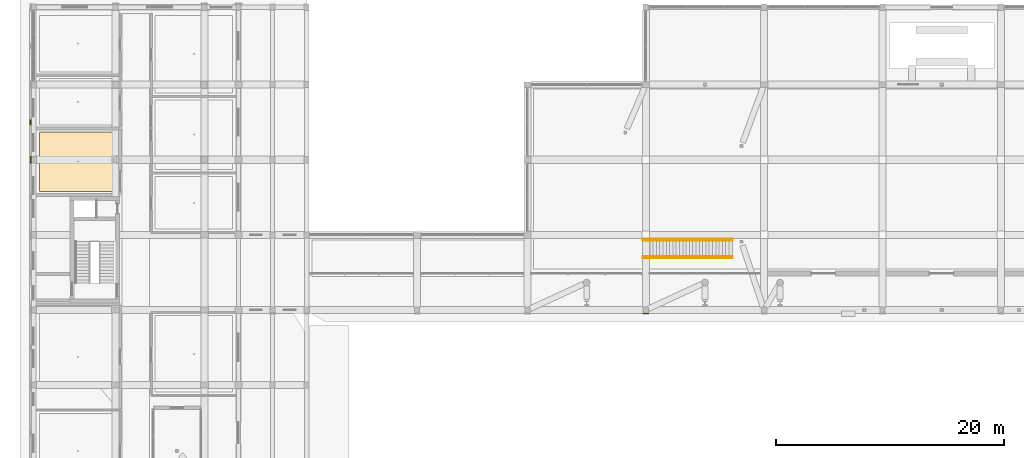
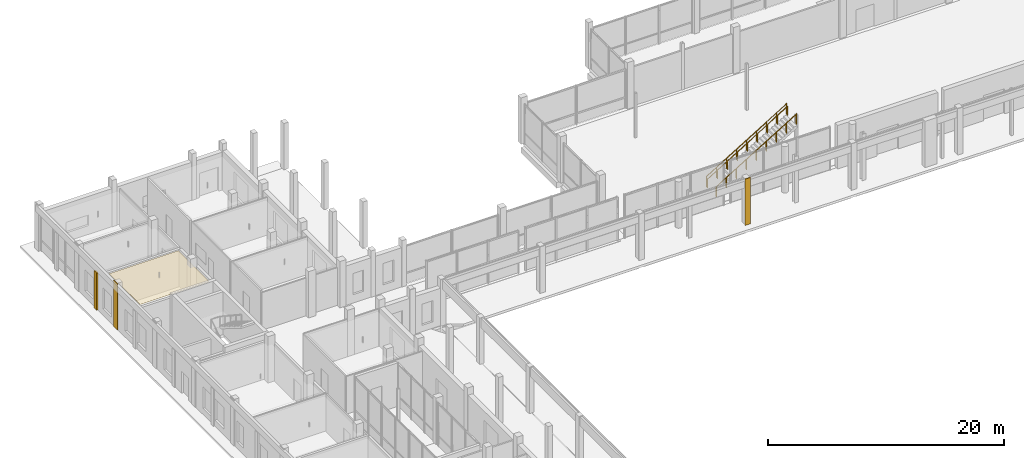
# One storey, part 76 of 88: 4 coverings, 4 railings.
"""IFC4 building model written with IfcOpenShell, lengths in metres."""

from ifc_helpers import new_model, si_unit, derived_unit, direction, frame, origin, origin_2d, place, context, subcontext, project, spatial, polyline, rectangle, circle, outline, extrude, material, layer, layer_set, type_object, element, save


model = new_model("IFC4")

# Units and contexts
model_context = context("Model", 3, precision=1e-05, world=origin(), true_north=direction((0.0, 1.0)))
body_context = subcontext(model_context, "Body", "Model", "MODEL_VIEW")
ifc_project = project(units=[si_unit("LENGTHUNIT", "METRE"), si_unit("AREAUNIT", "SQUARE_METRE"), si_unit("VOLUMEUNIT", "CUBIC_METRE"), si_unit("PLANEANGLEUNIT", "RADIAN"), si_unit("MASSUNIT", "GRAM", prefix="KILO"), derived_unit("THERMALTRANSMITTANCEUNIT", [(si_unit("POWERUNIT", "WATT"), 1), (si_unit("LENGTHUNIT", "METRE"), -2), (si_unit("THERMODYNAMICTEMPERATUREUNIT", "KELVIN"), -1)])], contexts=[model_context])

# Site, building, storey
site_placement = place(None, origin())
site = spatial("IfcSite", under=ifc_project, at=site_placement, CompositionType="ELEMENT")
building_placement = place(site_placement, origin())
building = spatial("IfcBuilding", under=site, at=building_placement, Name="Braskholm Square Health Centre", CompositionType="ELEMENT")
storey_placement = place(building_placement, origin())
storey = spatial("IfcBuildingStorey", under=building, at=storey_placement, Name="L01", CompositionType="ELEMENT", Elevation=0.0)

# Covering
ifc_material_1 = material(Name="Fire-rated gypsum board barrier")
ifc_layer_1 = layer(ifc_material_1, 0.02490234375)
ifc_layer_set_1 = layer_set([ifc_layer_1], Name="Fire-rated gypsum board barrier")
covering_type_1 = type_object("IfcCoveringType", Name="AcousticClinicalCeilingTile", PredefinedType="CEILING", material=ifc_layer_set_1)
covering_1_placement = place(storey_placement, frame((0.0, 0.0, 3.864990234375)))
element("IfcCovering", 1, at=covering_1_placement, inside=storey, type_object=covering_type_1, Name="Acoustic ceiling L01-031", PredefinedType="CEILING", context=body_context, shape_type="SweptSolid", body=[
    extrude(outline(polyline([(4.705078125, 97.60009765625), (11.5, 97.60009765625), (11.5, 102.860107421875), (4.705078125, 102.860107421875), (4.705078125, 97.60009765625)])), origin(), (0.0, 0.0, 1.0), 0.02490234375),
])

# Railings
ifc_material_2 = material(Name="Dark patinated chevron architectural bronze", Category="aluminium")
railing_type_1 = type_object("IfcRailingType", Name="BronzeChevronGuardrail1100", PredefinedType="GUARDRAIL", material=ifc_material_2)
for number, where, name in (
    (2, (57.77001953125, 93.449951171875, 0.0), "Stair ST-05 side guard L"),
    (3, (57.77001953125, 91.75, 0.0), "Stair ST-05 side guard R"),
):
    element("IfcRailing", number, at=place(storey_placement, frame(where)), inside=storey, type_object=railing_type_1, Name=name, PredefinedType="GUARDRAIL", context=body_context, shape_type="SweptSolid", body=[
        extrude(circle(Radius=0.02392578125, at=origin_2d()), frame((0.0, 0.0, 1.076171875), z_axis=(0.852554257038, 0.0, 0.522638726853), x_axis=(0.0, 1.0, 0.0)), (0.0, 0.0, 1.0), 9.184326171875),
        extrude(circle(Radius=0.02099609375, at=origin_2d()), origin(), (0.0, 0.0, 1.0), 1.052001953125),
        extrude(circle(Radius=0.02099609375, at=origin_2d()), frame((0.978759765625, 0.0, 0.60009765625)), (0.0, 0.0, 1.0), 1.052001953125),
        extrude(circle(Radius=0.02099609375, at=origin_2d()), frame((1.95751953125, 0.0, 1.199951171875)), (0.0, 0.0, 1.0), 1.052001953125),
        extrude(circle(Radius=0.02099609375, at=origin_2d()), frame((2.936279296875, 0.0, 1.800048828125)), (0.0, 0.0, 1.0), 1.052001953125),
        extrude(circle(Radius=0.02099609375, at=origin_2d()), frame((3.9150390625, 0.0, 2.39990234375)), (0.0, 0.0, 1.0), 1.052001953125),
        extrude(circle(Radius=0.02099609375, at=origin_2d()), frame((4.893798828125, 0.0, 3.0)), (0.0, 0.0, 1.0), 1.052001953125),
        extrude(circle(Radius=0.02099609375, at=origin_2d()), frame((5.87255859375, 0.0, 3.60009765625)), (0.0, 0.0, 1.0), 1.052001953125),
        extrude(circle(Radius=0.02099609375, at=origin_2d()), frame((6.851318359375, 0.0, 4.199951171875)), (0.0, 0.0, 1.0), 1.052001953125),
        extrude(circle(Radius=0.02099609375, at=origin_2d()), frame((7.830078125, 0.0, 4.800048828125)), (0.0, 0.0, 1.0), 1.052001953125),
    ])

# Coverings
ifc_material_3 = material(Name="Mankato-Kasota dolomitic limestone ashlar", Category="masonry")
ifc_layer_2 = layer(ifc_material_3, 0.090087890625)
ifc_layer_set_2 = layer_set([ifc_layer_2], Name="Mankato-Kasota dolomitic limestone ashlar")
covering_type_2 = type_object("IfcCoveringType", Name="KasotaAshlarBaseCladding", PredefinedType="CLADDING", material=ifc_layer_set_2)
covering_2_placement = place(storey_placement, frame((3.929931640625, 103.699951171875, 0.0), z_axis=(0.0, 0.0, 1.0), x_axis=(1.0, 0.0, 0.0)))
element("IfcCovering", 4, at=covering_2_placement, inside=storey, type_object=covering_type_2, Name="Fluted Kasota limestone base pilaster 0394", PredefinedType="CLADDING", context=body_context, shape_type="SweptSolid", body=[
    extrude(rectangle(XDim=0.159912109375, YDim=0.419921875, at=origin_2d()), origin(), (0.0, 0.0, 1.0), 3.8701171875),
])
ifc_material_4 = material(Name="Precast concrete C40/50 architectural white", Category="concrete")
ifc_layer_3 = layer(ifc_material_4, 0.054931640625)
ifc_layer_set_3 = layer_set([ifc_layer_3], Name="Precast concrete C40/50 architectural white")
covering_type_3 = type_object("IfcCoveringType", Name="PrecastWhiteColumnCasing", PredefinedType="CLADDING", material=ifc_layer_set_3)
covering_3_placement = place(storey_placement, frame((3.945068359375, 100.39990234375, 0.0), z_axis=(0.0, 0.0, 1.0), x_axis=(1.0, 0.0, 0.0)))
element("IfcCovering", 5, at=covering_3_placement, inside=storey, type_object=covering_type_3, Name="Giant-order white precast column casing 0127", PredefinedType="CLADDING", context=body_context, shape_type="SweptSolid", body=[
    extrude(rectangle(XDim=0.06005859375, YDim=0.639892578125, at=origin_2d()), origin(), (0.0, 0.0, 1.0), 4.800048828125),
])
covering_4_placement = place(storey_placement, frame((58.0, 86.89501953125, 0.0), z_axis=(0.0, 0.0, 1.0), x_axis=(1.0, 0.0, 0.0)))
element("IfcCovering", 6, at=covering_4_placement, inside=storey, type_object=covering_type_3, Name="Giant-order white precast column casing 0194", PredefinedType="CLADDING", context=body_context, shape_type="SweptSolid", body=[
    extrude(rectangle(XDim=0.5400390625, YDim=0.06005859375, at=origin_2d()), origin(), (0.0, 0.0, 1.0), 4.800048828125),
])

# Railings
railing_type_2 = type_object("IfcRailingType", Name="StairTubularHandrail915", PredefinedType="HANDRAIL", material=ifc_material_2)
for number, where, name in (
    (7, (57.77001953125, 93.297119140625, 0.0), "Stair ST-05 tubular handrail L"),
    (8, (57.77001953125, 91.903076171875, 0.0), "Stair ST-05 tubular handrail R"),
):
    element("IfcRailing", number, at=place(storey_placement, frame(where)), inside=storey, type_object=railing_type_2, Name=name, PredefinedType="HANDRAIL", context=body_context, shape_type="SweptSolid", body=[
        extrude(circle(Radius=0.02392578125, at=origin_2d()), frame((0.0, 0.0, 0.89111328125), z_axis=(0.852554257038, 0.0, 0.522638726853), x_axis=(0.0, 1.0, 0.0)), (0.0, 0.0, 1.0), 9.184326171875),
        extrude(circle(Radius=0.02099609375, at=origin_2d()), origin(), (0.0, 0.0, 1.0), 0.866943359375),
        extrude(circle(Radius=0.02099609375, at=origin_2d()), frame((0.978759765625, 0.0, 0.60009765625)), (0.0, 0.0, 1.0), 0.866943359375),
        extrude(circle(Radius=0.02099609375, at=origin_2d()), frame((1.95751953125, 0.0, 1.199951171875)), (0.0, 0.0, 1.0), 0.866943359375),
        extrude(circle(Radius=0.02099609375, at=origin_2d()), frame((2.936279296875, 0.0, 1.800048828125)), (0.0, 0.0, 1.0), 0.866943359375),
        extrude(circle(Radius=0.02099609375, at=origin_2d()), frame((3.9150390625, 0.0, 2.39990234375)), (0.0, 0.0, 1.0), 0.866943359375),
        extrude(circle(Radius=0.02099609375, at=origin_2d()), frame((4.893798828125, 0.0, 3.0)), (0.0, 0.0, 1.0), 0.866943359375),
        extrude(circle(Radius=0.02099609375, at=origin_2d()), frame((5.87255859375, 0.0, 3.60009765625)), (0.0, 0.0, 1.0), 0.866943359375),
        extrude(circle(Radius=0.02099609375, at=origin_2d()), frame((6.851318359375, 0.0, 4.199951171875)), (0.0, 0.0, 1.0), 0.866943359375),
        extrude(circle(Radius=0.02099609375, at=origin_2d()), frame((7.830078125, 0.0, 4.800048828125)), (0.0, 0.0, 1.0), 0.866943359375),
    ])

save(model, "model.ifc")
